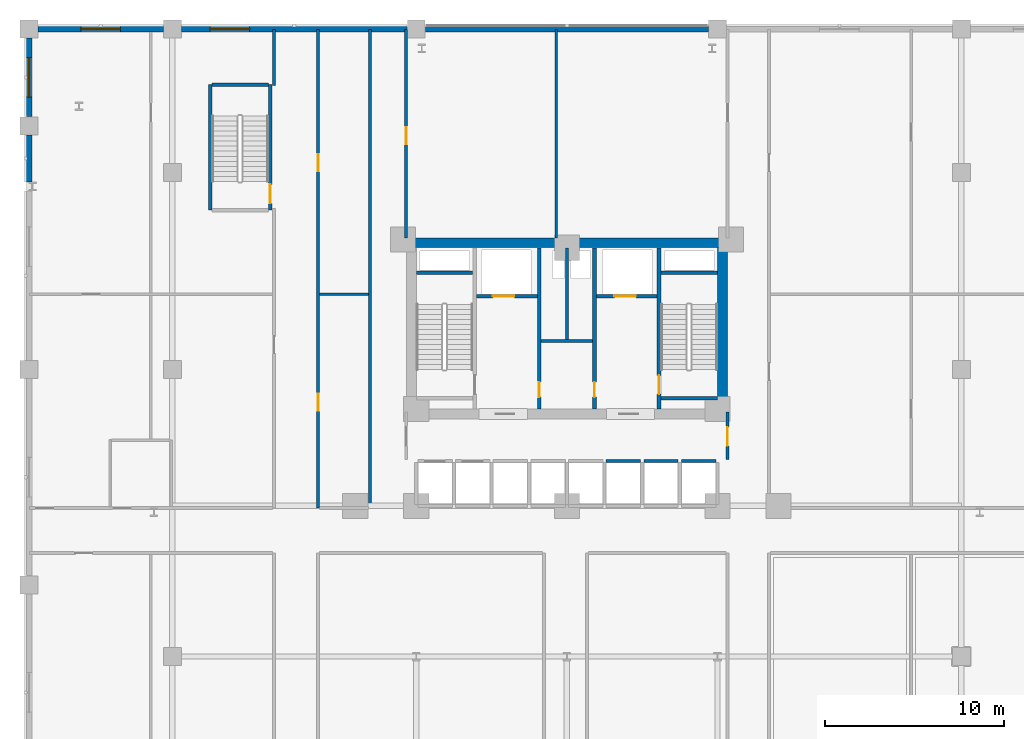
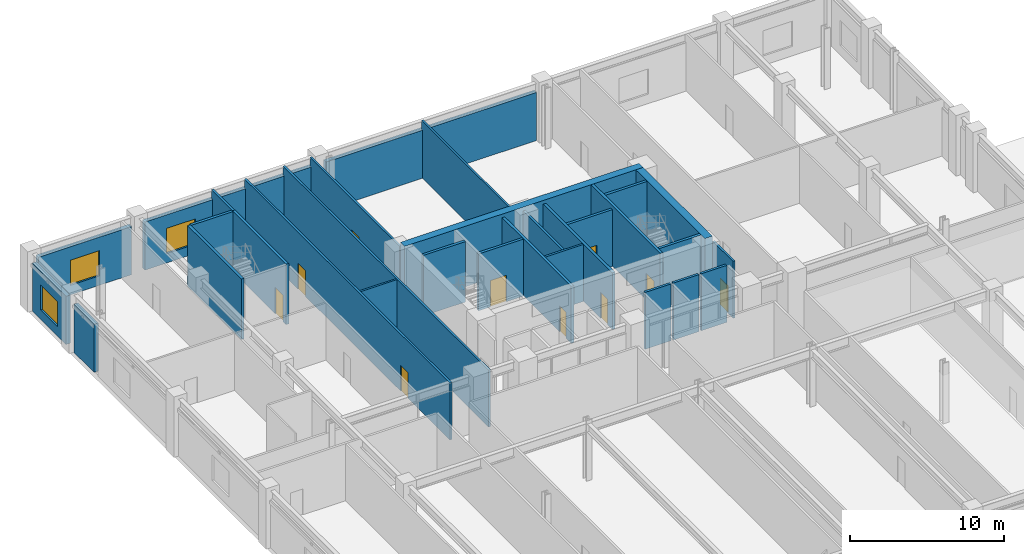
# One storey, part 19 of 34: 30 walls, 10 doors, 3 windows, 13 openings.
"""IFC4 building model written with IfcOpenShell, lengths in metres."""

from ifc_helpers import new_model, si_unit, derived_unit, direction, frame, frame_2d, origin, place, context, subcontext, project, spatial, rectangle, extrude, material, layer, layer_set, type_object, element, fill, save


model = new_model("IFC4")

# Units and contexts
model_context = context("Model", 3, precision=1e-05, world=origin(), true_north=direction((0.0, 1.0)))
body_context = subcontext(model_context, "Body", "Model", "MODEL_VIEW")
ifc_project = project(units=[si_unit("LENGTHUNIT", "METRE"), si_unit("AREAUNIT", "SQUARE_METRE"), si_unit("VOLUMEUNIT", "CUBIC_METRE"), si_unit("PLANEANGLEUNIT", "RADIAN"), si_unit("MASSUNIT", "GRAM", prefix="KILO"), derived_unit("THERMALTRANSMITTANCEUNIT", [(si_unit("POWERUNIT", "WATT"), 1), (si_unit("LENGTHUNIT", "METRE"), -2), (si_unit("THERMODYNAMICTEMPERATUREUNIT", "KELVIN"), -1)])], contexts=[model_context])

# Site, building, storey
site_placement = place(None, origin())
site = spatial("IfcSite", under=ifc_project, at=site_placement, CompositionType="ELEMENT")
building_placement = place(site_placement, origin())
building = spatial("IfcBuilding", under=site, at=building_placement, Name="Korsvarv Bourse and Concert Hall", CompositionType="ELEMENT")
storey_placement = place(building_placement, frame((0.0, 0.0, 14.39990234375)))
storey = spatial("IfcBuildingStorey", under=building, at=storey_placement, Name="L03", CompositionType="ELEMENT", Elevation=14.39990234375)

# Wall
ifc_material_1 = material(Name="Concrete C50/60", Category="concrete")
ifc_layer_1 = layer(ifc_material_1, 0.3798828125)
ifc_layer_set_1 = layer_set([ifc_layer_1], Name="Concrete C50/60")
wall_type_1 = type_object("IfcWallType", Name="WL-CORE-380", PredefinedType="SHEAR", material=ifc_layer_set_1)
wall_1_placement = place(storey_placement, frame((27.610107421875, 45.39990234375, 0.0), z_axis=(0.0, 0.0, 1.0), x_axis=(1.0, 0.0, 0.0)))
element("IfcWall", 1, at=wall_1_placement, inside=storey, type_object=wall_type_1, Name="L03 stair shaft structural wall W-L03-ST1-N", PredefinedType="SHEAR", context=body_context, shape_type="SweptSolid", body=[
    extrude(rectangle(XDim=3.139892578125, YDim=0.199951171875, at=frame_2d((1.56982421875, 0.0))), origin(), (0.0, 0.0, 1.0), 4.800048828125),
])

# Wall, opening, door
wall_2_placement = place(storey_placement, frame((41.139892578125, 37.81005859375, 0.0), z_axis=(0.0, 0.0, 1.0), x_axis=(0.0, 1.0, 0.0)))
wall_2 = element("IfcWall", 2, at=wall_2_placement, inside=storey, type_object=wall_type_1, Name="L03 stair shaft structural wall W-L03-ST2-W", PredefinedType="SHEAR", context=body_context, shape_type="SweptSolid", body=[
    extrude(rectangle(XDim=8.97998046875, YDim=0.199951171875, at=frame_2d((4.489990234375, 0.0))), origin(), (0.0, 0.0, 1.0), 4.800048828125),
])
opening_1_placement = place(wall_2_placement, frame((0.820068359375, 0.0, 0.0)))
opening_1 = element("IfcOpeningElement", 3, at=opening_1_placement, cuts=wall_2, Name="Opening D-01", PredefinedType="OPENING", context=body_context, shape_type="SweptSolid", body=[
    extrude(rectangle(XDim=1.050048828125, YDim=2.10009765625, at=frame_2d((0.52490234375, 1.050048828125))), frame((0.0, 0.10986328125, 0.0), z_axis=(0.0, -1.0, 0.0), x_axis=(1.0, 0.0, 0.0)), (0.0, 0.0, 1.0), 0.219970703125),
])
ifc_material_2 = material(Name="Steel S355 fire door", Category="steel")
door_type_1 = type_object("IfcDoorType", Name="DR-FD60", OperationType="NOTDEFINED", PredefinedType="DOOR", material=ifc_material_2)
door_1_placement = place(opening_1_placement, frame((1.050048828125, 0.0, 0.0), z_axis=(0.0, 0.0, 1.0), x_axis=(-1.0, 0.0, 0.0)))
door_1 = element("IfcDoor", 4, at=door_1_placement, inside=storey, type_object=door_type_1, Name="L03 interior door DR-L03-ST2", OperationType="SINGLE_SWING_RIGHT", OverallHeight=2.10009765625, OverallWidth=1.050048828125, PredefinedType="DOOR", context=body_context, shape_type="SweptSolid", body=[
    extrude(rectangle(XDim=1.050048828125, YDim=2.10009765625, at=frame_2d((0.52490234375, 1.050048828125))), frame((0.0, 0.02490234375, 0.0), z_axis=(0.0, -1.0, 0.0), x_axis=(1.0, 0.0, 0.0)), (0.0, 0.0, 1.0), 0.050048828125),
])
fill(opening_1, door_1)

# Walls
for number, where, z_axis, x_axis, name in (
    (5, (41.25, 45.39990234375, 0.0), (0.0, 0.0, 1.0), (1.0, 0.0, 0.0), "L03 stair shaft structural wall W-L03-ST2-N"),
    (6, (41.25, 38.39990234375, 0.0), (0.0, 0.0, 1.0), (1.0, 0.0, 0.0), "L03 stair shaft structural wall W-L03-ST2-S"),
):
    element("IfcWall", number, at=place(storey_placement, frame(where, z_axis=z_axis, x_axis=x_axis)), inside=storey, type_object=wall_type_1, Name=name, PredefinedType="SHEAR", context=body_context, shape_type="SweptSolid", body=[
        extrude(rectangle(XDim=3.139892578125, YDim=0.199951171875, at=frame_2d((1.56982421875, 0.0))), origin(), (0.0, 0.0, 1.0), 4.800048828125),
    ])

# Wall, opening, door
wall_3_placement = place(storey_placement, frame((19.4599609375, 48.89990234375, 0.0), z_axis=(0.0, 0.0, 1.0), x_axis=(0.0, 1.0, 0.0)))
wall_3 = element("IfcWall", 7, at=wall_3_placement, inside=storey, type_object=wall_type_1, Name="L03 stair shaft structural wall W-L03-STPD-E", PredefinedType="SHEAR", context=body_context, shape_type="SweptSolid", body=[
    extrude(rectangle(XDim=7.0, YDim=0.199951171875, at=frame_2d((3.5, 0.0))), origin(), (0.0, 0.0, 1.0), 4.800048828125),
])
opening_2_placement = place(wall_3_placement, frame((0.3798828125, 0.0, 0.0)))
opening_2 = element("IfcOpeningElement", 8, at=opening_2_placement, cuts=wall_3, Name="Opening D-01", PredefinedType="OPENING", context=body_context, shape_type="SweptSolid", body=[
    extrude(rectangle(XDim=1.050048828125, YDim=2.10009765625, at=frame_2d((0.52490234375, 1.050048828125))), frame((0.0, 0.10986328125, 0.0), z_axis=(0.0, -1.0, 0.0), x_axis=(1.0, 0.0, 0.0)), (0.0, 0.0, 1.0), 0.219970703125),
])
door_2_placement = place(opening_2_placement, origin())
door_2 = element("IfcDoor", 9, at=door_2_placement, inside=storey, type_object=door_type_1, Name="L03 interior door DR-L03-STPD1", OperationType="SINGLE_SWING_RIGHT", OverallHeight=2.10009765625, OverallWidth=1.050048828125, PredefinedType="DOOR", context=body_context, shape_type="SweptSolid", body=[
    extrude(rectangle(XDim=1.050048828125, YDim=2.10009765625, at=frame_2d((0.52490234375, 1.050048828125))), frame((0.0, 0.02490234375, 0.0), z_axis=(0.0, -1.0, 0.0), x_axis=(1.0, 0.0, 0.0)), (0.0, 0.0, 1.0), 0.050048828125),
])
fill(opening_2, door_2)

# Walls
wall_4_placement = place(storey_placement, frame((16.10009765625, 48.89990234375, 0.0), z_axis=(0.0, 0.0, 1.0), x_axis=(0.0, 1.0, 0.0)))
element("IfcWall", 10, at=wall_4_placement, inside=storey, type_object=wall_type_1, Name="L03 stair shaft structural wall W-L03-STPD-W", PredefinedType="SHEAR", context=body_context, shape_type="SweptSolid", body=[
    extrude(rectangle(XDim=7.0, YDim=0.199951171875, at=frame_2d((3.5, 0.0))), origin(), (0.0, 0.0, 1.0), 4.800048828125),
])
wall_5_placement = place(storey_placement, frame((16.2099609375, 55.89990234375, 0.0), z_axis=(0.0, 0.0, 1.0), x_axis=(1.0, 0.0, 0.0)))
element("IfcWall", 11, at=wall_5_placement, inside=storey, type_object=wall_type_1, Name="L03 stair shaft structural wall W-L03-STPD-N", PredefinedType="SHEAR", context=body_context, shape_type="SweptSolid", body=[
    extrude(rectangle(XDim=3.14013671875, YDim=0.199951171875, at=frame_2d((1.570068359375, 0.0))), origin(), (0.0, 0.0, 1.0), 4.800048828125),
])
ifc_material_3 = material(Name="Concrete C60/75", Category="concrete")
ifc_layer_2 = layer(ifc_material_3, 0.550048828125)
ifc_layer_set_2 = layer_set([ifc_layer_2], Name="Concrete C60/75")
wall_type_2 = type_object("IfcWallType", Name="WL-CORE-550", PredefinedType="SHEAR", material=ifc_layer_set_2)
wall_6_placement = place(storey_placement, frame((27.050048828125, 47.074951171875, 0.0), z_axis=(0.0, 0.0, 1.0), x_axis=(1.0, 0.0, 0.0)))
element("IfcWall", 12, at=wall_6_placement, inside=storey, type_object=wall_type_2, Name="L03 North Core Shear Wall", PredefinedType="SHEAR", context=body_context, shape_type="SweptSolid", body=[
    extrude(rectangle(XDim=17.89990234375, YDim=0.550048828125, at=frame_2d((8.949951171875, 0.0))), origin(), (0.0, 0.0, 1.0), 4.800048828125),
])
wall_7_placement = place(storey_placement, frame((44.675048828125, 37.800048828125, 0.0), z_axis=(0.0, 0.0, 1.0), x_axis=(0.0, 1.0, 0.0)))
element("IfcWall", 13, at=wall_7_placement, inside=storey, type_object=wall_type_2, Name="L03 East Core Shear Wall", PredefinedType="SHEAR", context=body_context, shape_type="SweptSolid", body=[
    extrude(rectangle(XDim=9.0, YDim=0.550048828125, at=frame_2d((4.5, 0.0))), origin(), (0.0, 0.0, 1.0), 4.800048828125),
])

# Wall, opening, window
ifc_material_4 = material(Name="Precast concrete C45/55 with granite and terracotta", Category="concrete")
ifc_layer_3 = layer(ifc_material_4, 0.320068359375)
ifc_layer_set_3 = layer_set([ifc_layer_3], Name="Precast concrete C45/55 with granite and terracotta")
wall_type_3 = type_object("IfcWallType", Name="WL-EXT-POD", PredefinedType="SOLIDWALL", material=ifc_layer_set_3)
wall_8_placement = place(storey_placement, frame((6.5048828125, 59.0, 0.0), z_axis=(0.0, 0.0, 1.0), x_axis=(1.0, 0.0, 0.0)))
wall_8 = element("IfcWall", 14, at=wall_8_placement, inside=storey, type_object=wall_type_3, Name="L03 terracotta exterior wall EW-L03-N1", PredefinedType="SOLIDWALL", context=body_context, shape_type="SweptSolid", body=[
    extrude(rectangle(XDim=6.990234375, YDim=0.320068359375, at=frame_2d((3.4951171875, 0.0))), origin(), (0.0, 0.0, 1.0), 3.820068359375),
])
opening_3_placement = place(wall_8_placement, frame((2.39501953125, 0.0, 0.75)))
opening_3 = element("IfcOpeningElement", 15, at=opening_3_placement, cuts=wall_8, Name="Opening W-03", PredefinedType="OPENING", context=body_context, shape_type="SweptSolid", body=[
    extrude(rectangle(XDim=2.199951171875, YDim=2.0, at=frame_2d((1.10009765625, 1.0))), frame((0.0, 0.169921875, 0.0), z_axis=(0.0, -1.0, 0.0), x_axis=(1.0, 0.0, 0.0)), (0.0, 0.0, 1.0), 0.340087890625),
])
ifc_material_5 = material(Name="Thermally broken aluminium frame with triple low-E glass", Category="glass")
window_type = type_object("IfcWindowType", Name="WIN-POD1", PartitioningType="SINGLE_PANEL", PredefinedType="WINDOW", material=ifc_material_5)
window_1_placement = place(opening_3_placement, origin())
window_1 = element("IfcWindow", 16, at=window_1_placement, inside=storey, type_object=window_type, Name="L03 punched facade window W-03", OverallHeight=2.0, OverallWidth=2.199951171875, PartitioningType="SINGLE_PANEL", PredefinedType="WINDOW", context=body_context, shape_type="SweptSolid", body=[
    extrude(rectangle(XDim=2.199951171875, YDim=2.0, at=frame_2d((1.10009765625, 1.0))), frame((0.0, 0.030029296875, 0.0), z_axis=(0.0, -1.0, 0.0), x_axis=(1.0, 0.0, 0.0)), (0.0, 0.0, 1.0), 0.06005859375),
])
fill(opening_3, window_1)

wall_9_placement = place(storey_placement, frame((14.5048828125, 59.0, 0.0), z_axis=(0.0, 0.0, 1.0), x_axis=(1.0, 0.0, 0.0)))
wall_9 = element("IfcWall", 17, at=wall_9_placement, inside=storey, type_object=wall_type_3, Name="L03 terracotta exterior wall EW-L03-N2", PredefinedType="SOLIDWALL", context=body_context, shape_type="SweptSolid", body=[
    extrude(rectangle(XDim=12.590087890625, YDim=0.320068359375, at=frame_2d((6.294921875, 0.0))), origin(), (0.0, 0.0, 1.0), 3.820068359375),
])
opening_4_placement = place(wall_9_placement, frame((1.5986328125, 0.0, 0.75)))
opening_4 = element("IfcOpeningElement", 18, at=opening_4_placement, cuts=wall_9, Name="Opening W-03", PredefinedType="OPENING", context=body_context, shape_type="SweptSolid", body=[
    extrude(rectangle(XDim=2.199951171875, YDim=2.0, at=frame_2d((1.10009765625, 1.0))), frame((0.0, 0.169921875, 0.0), z_axis=(0.0, -1.0, 0.0), x_axis=(1.0, 0.0, 0.0)), (0.0, 0.0, 1.0), 0.340087890625),
])
window_2_placement = place(opening_4_placement, origin())
window_2 = element("IfcWindow", 19, at=window_2_placement, inside=storey, type_object=window_type, Name="L03 punched facade window W-03", OverallHeight=2.0, OverallWidth=2.199951171875, PartitioningType="SINGLE_PANEL", PredefinedType="WINDOW", context=body_context, shape_type="SweptSolid", body=[
    extrude(rectangle(XDim=2.199951171875, YDim=2.0, at=frame_2d((1.10009765625, 1.0))), frame((0.0, 0.030029296875, 0.0), z_axis=(0.0, -1.0, 0.0), x_axis=(1.0, 0.0, 0.0)), (0.0, 0.0, 1.0), 0.06005859375),
])
fill(opening_4, window_2)

# Walls
wall_10_placement = place(storey_placement, frame((28.10498046875, 59.0, 0.0), z_axis=(0.0, 0.0, 1.0), x_axis=(1.0, 0.0, 0.0)))
element("IfcWall", 20, at=wall_10_placement, inside=storey, type_object=wall_type_3, Name="L03 terracotta exterior wall EW-L03-N3", PredefinedType="SOLIDWALL", context=body_context, shape_type="SweptSolid", body=[
    extrude(rectangle(XDim=15.7900390625, YDim=0.320068359375, at=frame_2d((7.89501953125, 0.0))), origin(), (0.0, 0.0, 1.0), 3.820068359375),
])
wall_11_placement = place(storey_placement, frame((6.0, 50.459228515625, 0.0), z_axis=(0.0, 0.0, 1.0), x_axis=(0.0, 1.0, 0.0)))
element("IfcWall", 21, at=wall_11_placement, inside=storey, type_object=wall_type_3, Name="L03 terracotta exterior wall EW-L03-W4-2", PredefinedType="SOLIDWALL", context=body_context, shape_type="SweptSolid", body=[
    extrude(rectangle(XDim=2.6357421875, YDim=0.320068359375, at=frame_2d((1.31787109375, 0.0))), origin(), (0.0, 0.0, 1.0), 3.820068359375),
])

# Wall, opening, window
wall_12_placement = place(storey_placement, frame((6.0, 54.10498046875, 0.0), z_axis=(0.0, 0.0, 1.0), x_axis=(0.0, 1.0, 0.0)))
wall_12 = element("IfcWall", 22, at=wall_12_placement, inside=storey, type_object=wall_type_3, Name="L03 terracotta exterior wall EW-L03-W5", PredefinedType="SOLIDWALL", context=body_context, shape_type="SweptSolid", body=[
    extrude(rectangle(XDim=4.39013671875, YDim=0.320068359375, at=frame_2d((2.195068359375, 0.0))), origin(), (0.0, 0.0, 1.0), 3.820068359375),
])
opening_5_placement = place(wall_12_placement, frame((1.094970703125, 0.0, 0.75)))
opening_5 = element("IfcOpeningElement", 23, at=opening_5_placement, cuts=wall_12, Name="Opening W-03", PredefinedType="OPENING", context=body_context, shape_type="SweptSolid", body=[
    extrude(rectangle(XDim=2.199951171875, YDim=2.0, at=frame_2d((1.10009765625, 1.0))), frame((0.0, 0.169921875, 0.0), z_axis=(0.0, -1.0, 0.0), x_axis=(1.0, 0.0, 0.0)), (0.0, 0.0, 1.0), 0.340087890625),
])
window_3_placement = place(opening_5_placement, origin())
window_3 = element("IfcWindow", 24, at=window_3_placement, inside=storey, type_object=window_type, Name="L03 punched facade window W-03", OverallHeight=2.0, OverallWidth=2.199951171875, PartitioningType="SINGLE_PANEL", PredefinedType="WINDOW", context=body_context, shape_type="SweptSolid", body=[
    extrude(rectangle(XDim=2.199951171875, YDim=2.0, at=frame_2d((1.10009765625, 1.0))), frame((0.0, 0.030029296875, 0.0), z_axis=(0.0, -1.0, 0.0), x_axis=(1.0, 0.0, 0.0)), (0.0, 0.0, 1.0), 0.06005859375),
])
fill(opening_5, window_3)

# Wall, opening, door
ifc_material_6 = material(Name="Reinforced concrete blockwork C35/45 fire wall", Category="concrete")
ifc_layer_4 = layer(ifc_material_6, 0.199951171875)
ifc_layer_set_4 = layer_set([ifc_layer_4], Name="Reinforced concrete blockwork C35/45 fire wall")
wall_type_4 = type_object("IfcWallType", Name="WL-INT-EI120", PredefinedType="PARTITIONING", material=ifc_layer_set_4)
wall_13_placement = place(storey_placement, frame((30.969970703125, 44.10009765625, 0.0), z_axis=(0.0, 0.0, 1.0), x_axis=(1.0, 0.0, 0.0)))
wall_13 = element("IfcWall", 25, at=wall_13_placement, inside=storey, type_object=wall_type_4, Name="L03 interior partition wall W-L03-FF1-S", PredefinedType="PARTITIONING", context=body_context, shape_type="SweptSolid", body=[
    extrude(rectangle(XDim=3.380126953125, YDim=0.199951171875, at=frame_2d((1.68994140625, 0.0))), origin(), (0.0, 0.0, 1.0), 4.52001953125),
])
opening_6_placement = place(wall_13_placement, frame((0.89990234375, 0.0, 0.0)))
opening_6 = element("IfcOpeningElement", 26, at=opening_6_placement, cuts=wall_13, Name="Opening LD-1", PredefinedType="OPENING", context=body_context, shape_type="SweptSolid", body=[
    extrude(rectangle(XDim=1.199951171875, YDim=2.10009765625, at=frame_2d((0.60009765625, 1.050048828125))), frame((0.0, 0.10986328125, 0.0), z_axis=(0.0, -1.0, 0.0), x_axis=(1.0, 0.0, 0.0)), (0.0, 0.0, 1.0), 0.219970703125),
])
ifc_material_7 = material(Name="Stainless Steel S355 firefighting lift landing door", Category="steel")
door_type_2 = type_object("IfcDoorType", Name="DR-LIFT-FF", OperationType="DOUBLE_DOOR_SLIDING", PredefinedType="DOOR", material=ifc_material_7)
door_3_placement = place(opening_6_placement, origin())
door_3 = element("IfcDoor", 27, at=door_3_placement, inside=storey, type_object=door_type_2, Name="L03 lift sliding landing door LD-L03-FF1", OperationType="DOUBLE_DOOR_SLIDING", OverallHeight=2.10009765625, OverallWidth=1.199951171875, PredefinedType="DOOR", context=body_context, shape_type="SweptSolid", body=[
    extrude(rectangle(XDim=1.199951171875, YDim=2.10009765625, at=frame_2d((0.60009765625, 1.050048828125))), frame((0.0, 0.02490234375, 0.0), z_axis=(0.0, -1.0, 0.0), x_axis=(1.0, 0.0, 0.0)), (0.0, 0.0, 1.0), 0.050048828125),
])
fill(opening_6, door_3)

wall_14_placement = place(storey_placement, frame((37.64990234375, 44.10009765625, 0.0), z_axis=(0.0, 0.0, 1.0), x_axis=(1.0, 0.0, 0.0)))
wall_14 = element("IfcWall", 28, at=wall_14_placement, inside=storey, type_object=wall_type_4, Name="L03 interior partition wall W-L03-FF2-S", PredefinedType="PARTITIONING", context=body_context, shape_type="SweptSolid", body=[
    extrude(rectangle(XDim=3.380126953125, YDim=0.199951171875, at=frame_2d((1.68994140625, 0.0))), origin(), (0.0, 0.0, 1.0), 4.52001953125),
])
opening_7_placement = place(wall_14_placement, frame((1.0, 0.0, 0.0)))
opening_7 = element("IfcOpeningElement", 29, at=opening_7_placement, cuts=wall_14, Name="Opening LD-1", PredefinedType="OPENING", context=body_context, shape_type="SweptSolid", body=[
    extrude(rectangle(XDim=1.199951171875, YDim=2.10009765625, at=frame_2d((0.60009765625, 1.050048828125))), frame((0.0, 0.10986328125, 0.0), z_axis=(0.0, -1.0, 0.0), x_axis=(1.0, 0.0, 0.0)), (0.0, 0.0, 1.0), 0.219970703125),
])
door_4_placement = place(opening_7_placement, origin())
door_4 = element("IfcDoor", 30, at=door_4_placement, inside=storey, type_object=door_type_2, Name="L03 lift sliding landing door LD-L03-FF2", OperationType="DOUBLE_DOOR_SLIDING", OverallHeight=2.10009765625, OverallWidth=1.199951171875, PredefinedType="DOOR", context=body_context, shape_type="SweptSolid", body=[
    extrude(rectangle(XDim=1.199951171875, YDim=2.10009765625, at=frame_2d((0.60009765625, 1.050048828125))), frame((0.0, 0.02490234375, 0.0), z_axis=(0.0, -1.0, 0.0), x_axis=(1.0, 0.0, 0.0)), (0.0, 0.0, 1.0), 0.050048828125),
])
fill(opening_7, door_4)

wall_15_placement = place(storey_placement, frame((34.4599609375, 37.81005859375, 0.0), z_axis=(0.0, 0.0, 1.0), x_axis=(0.0, 1.0, 0.0)))
wall_15 = element("IfcWall", 31, at=wall_15_placement, inside=storey, type_object=wall_type_4, Name="L03 interior partition wall W-L03-CSB-W", PredefinedType="PARTITIONING", context=body_context, shape_type="SweptSolid", body=[
    extrude(rectangle(XDim=8.97998046875, YDim=0.199951171875, at=frame_2d((4.489990234375, 0.0))), origin(), (0.0, 0.0, 1.0), 4.52001953125),
])
opening_8_placement = place(wall_15_placement, frame((0.64990234375, 0.0, 0.0)))
opening_8 = element("IfcOpeningElement", 32, at=opening_8_placement, cuts=wall_15, Name="Opening D-05", PredefinedType="OPENING", context=body_context, shape_type="SweptSolid", body=[
    extrude(rectangle(XDim=0.85009765625, YDim=2.050048828125, at=frame_2d((0.425048828125, 1.02490234375))), frame((0.0, 0.10986328125, 0.0), z_axis=(0.0, -1.0, 0.0), x_axis=(1.0, 0.0, 0.0)), (0.0, 0.0, 1.0), 0.219970703125),
])
door_type_3 = type_object("IfcDoorType", Name="DR-FD60-850X2050", OperationType="NOTDEFINED", PredefinedType="DOOR", material=ifc_material_2)
door_5_placement = place(opening_8_placement, frame((0.85009765625, 0.0, 0.0), z_axis=(0.0, 0.0, 1.0), x_axis=(-1.0, 0.0, 0.0)))
door_5 = element("IfcDoor", 33, at=door_5_placement, inside=storey, type_object=door_type_3, Name="L03 interior door DR-L03-CSB1", OperationType="SINGLE_SWING_LEFT", OverallHeight=2.050048828125, OverallWidth=0.85009765625, PredefinedType="DOOR", context=body_context, shape_type="SweptSolid", body=[
    extrude(rectangle(XDim=0.85009765625, YDim=2.050048828125, at=frame_2d((0.425048828125, 1.02490234375))), frame((0.0, 0.02490234375, 0.0), z_axis=(0.0, -1.0, 0.0), x_axis=(1.0, 0.0, 0.0)), (0.0, 0.0, 1.0), 0.050048828125),
])
fill(opening_8, door_5)

wall_16_placement = place(storey_placement, frame((37.5400390625, 37.81005859375, 0.0), z_axis=(0.0, 0.0, 1.0), x_axis=(0.0, 1.0, 0.0)))
wall_16 = element("IfcWall", 34, at=wall_16_placement, inside=storey, type_object=wall_type_4, Name="L03 interior partition wall W-L03-CSB-E", PredefinedType="PARTITIONING", context=body_context, shape_type="SweptSolid", body=[
    extrude(rectangle(XDim=8.97998046875, YDim=0.199951171875, at=frame_2d((4.489990234375, 0.0))), origin(), (0.0, 0.0, 1.0), 4.52001953125),
])
opening_9_placement = place(wall_16_placement, frame((0.64990234375, 0.0, 0.0)))
opening_9 = element("IfcOpeningElement", 35, at=opening_9_placement, cuts=wall_16, Name="Opening D-05", PredefinedType="OPENING", context=body_context, shape_type="SweptSolid", body=[
    extrude(rectangle(XDim=0.85009765625, YDim=2.050048828125, at=frame_2d((0.425048828125, 1.02490234375))), frame((0.0, 0.10986328125, 0.0), z_axis=(0.0, -1.0, 0.0), x_axis=(1.0, 0.0, 0.0)), (0.0, 0.0, 1.0), 0.219970703125),
])
door_6_placement = place(opening_9_placement, origin())
door_6 = element("IfcDoor", 36, at=door_6_placement, inside=storey, type_object=door_type_3, Name="L03 interior door DR-L03-CSB2", OperationType="SINGLE_SWING_RIGHT", OverallHeight=2.050048828125, OverallWidth=0.85009765625, PredefinedType="DOOR", context=body_context, shape_type="SweptSolid", body=[
    extrude(rectangle(XDim=0.85009765625, YDim=2.050048828125, at=frame_2d((0.425048828125, 1.02490234375))), frame((0.0, 0.02490234375, 0.0), z_axis=(0.0, -1.0, 0.0), x_axis=(1.0, 0.0, 0.0)), (0.0, 0.0, 1.0), 0.050048828125),
])
fill(opening_9, door_6)

# Walls
ifc_material_8 = material(Name="Double-stud fire-rated acoustic partition", Category="gypsum")
ifc_layer_5 = layer(ifc_material_8, 0.159912109375)
ifc_layer_set_5 = layer_set([ifc_layer_5], Name="Double-stud fire-rated acoustic partition")
wall_type_5 = type_object("IfcWallType", Name="WL-INT-EI60", PredefinedType="PARTITIONING", material=ifc_layer_set_5)
wall_17_placement = place(storey_placement, frame((34.570068359375, 41.60009765625, 0.0), z_axis=(0.0, 0.0, 1.0), x_axis=(1.0, 0.0, 0.0)))
element("IfcWall", 37, at=wall_17_placement, inside=storey, type_object=wall_type_5, Name="L03 interior partition wall W-L03-K1", PredefinedType="PARTITIONING", context=body_context, shape_type="SweptSolid", body=[
    extrude(rectangle(XDim=2.85986328125, YDim=0.159912109375, at=frame_2d((1.429931640625, 0.0))), origin(), (0.0, 0.0, 1.0), 4.52001953125),
])
wall_18_placement = place(storey_placement, frame((36.0048828125, 41.68994140625, 0.0), z_axis=(0.0, 0.0, 1.0), x_axis=(0.0, 1.0, 0.0)))
element("IfcWall", 38, at=wall_18_placement, inside=storey, type_object=wall_type_5, Name="L03 interior partition wall W-L03-K2", PredefinedType="PARTITIONING", context=body_context, shape_type="SweptSolid", body=[
    extrude(rectangle(XDim=5.10009765625, YDim=0.159912109375, at=frame_2d((2.550048828125, 0.0))), origin(), (0.0, 0.0, 1.0), 4.52001953125),
])

# Wall, opening, door
wall_19_placement = place(storey_placement, frame((44.9599609375, 35.0, 0.0), z_axis=(0.0, 0.0, 1.0), x_axis=(0.0, 1.0, 0.0)))
wall_19 = element("IfcWall", 39, at=wall_19_placement, inside=storey, type_object=wall_type_5, Name="L03 interior partition wall W-L03-LOB-E", PredefinedType="PARTITIONING", context=body_context, shape_type="SweptSolid", body=[
    extrude(rectangle(XDim=2.64990234375, YDim=0.159912109375, at=frame_2d((1.324951171875, 0.0))), origin(), (0.0, 0.0, 1.0), 4.52001953125),
])
opening_10_placement = place(wall_19_placement, frame((0.75, 0.0, 0.0)))
opening_10 = element("IfcOpeningElement", 40, at=opening_10_placement, cuts=wall_19, Name="Opening D-01", PredefinedType="OPENING", context=body_context, shape_type="SweptSolid", body=[
    extrude(rectangle(XDim=1.050048828125, YDim=2.10009765625, at=frame_2d((0.52490234375, 1.050048828125))), frame((0.0, 0.08984375, 0.0), z_axis=(0.0, -1.0, 0.0), x_axis=(1.0, 0.0, 0.0)), (0.0, 0.0, 1.0), 0.179931640625),
])
door_7_placement = place(opening_10_placement, origin())
door_7 = element("IfcDoor", 41, at=door_7_placement, inside=storey, type_object=door_type_1, Name="L03 interior door DR-L03-LOBE", OperationType="SINGLE_SWING_RIGHT", OverallHeight=2.10009765625, OverallWidth=1.050048828125, PredefinedType="DOOR", context=body_context, shape_type="SweptSolid", body=[
    extrude(rectangle(XDim=1.050048828125, YDim=2.10009765625, at=frame_2d((0.52490234375, 1.050048828125))), frame((0.0, 0.02490234375, 0.0), z_axis=(0.0, -1.0, 0.0), x_axis=(1.0, 0.0, 0.0)), (0.0, 0.0, 1.0), 0.050048828125),
])
fill(opening_10, door_7)

# Wall, openings, doors
wall_20_placement = place(storey_placement, frame((22.125, 32.27001953125, 0.0), z_axis=(0.0, 0.0, 1.0), x_axis=(0.0, 1.0, 0.0)))
wall_20 = element("IfcWall", 42, at=wall_20_placement, inside=storey, type_object=wall_type_5, Name="L03 interior partition wall W-L03-PCOR-08", PredefinedType="PARTITIONING", context=body_context, shape_type="SweptSolid", body=[
    extrude(rectangle(XDim=26.7099609375, YDim=0.159912109375, at=frame_2d((13.35498046875, 0.0))), origin(), (0.0, 0.0, 1.0), 4.52001953125),
])
opening_11_placement = place(wall_20_placement, frame((5.4384765625, 0.0, 0.0)))
opening_11 = element("IfcOpeningElement", 43, at=opening_11_placement, cuts=wall_20, Name="Opening D-02", PredefinedType="OPENING", context=body_context, shape_type="SweptSolid", body=[
    extrude(rectangle(XDim=0.949951171875, YDim=2.050048828125, at=frame_2d((0.47509765625, 1.02490234375))), frame((0.0, 0.08984375, 0.0), z_axis=(0.0, -1.0, 0.0), x_axis=(1.0, 0.0, 0.0)), (0.0, 0.0, 1.0), 0.179931640625),
])
opening_12_placement = place(wall_20_placement, frame((18.7900390625, 0.0, 0.0)))
opening_12 = element("IfcOpeningElement", 44, at=opening_12_placement, cuts=wall_20, Name="Opening D-02", PredefinedType="OPENING", context=body_context, shape_type="SweptSolid", body=[
    extrude(rectangle(XDim=0.949951171875, YDim=2.050048828125, at=frame_2d((0.47509765625, 1.02490234375))), frame((0.0, 0.08984375, 0.0), z_axis=(0.0, -1.0, 0.0), x_axis=(1.0, 0.0, 0.0)), (0.0, 0.0, 1.0), 0.179931640625),
])
ifc_material_9 = material(Name="Timber and steel acoustic fire door", Category="wood")
door_type_4 = type_object("IfcDoorType", Name="DR-FD30", OperationType="NOTDEFINED", PredefinedType="DOOR", material=ifc_material_9)
door_8_placement = place(opening_11_placement, origin())
door_8 = element("IfcDoor", 45, at=door_8_placement, inside=storey, type_object=door_type_4, Name="L03 interior door DR-L03-PCOR-RM1111", OperationType="SINGLE_SWING_LEFT", OverallHeight=2.050048828125, OverallWidth=0.949951171875, PredefinedType="DOOR", context=body_context, shape_type="SweptSolid", body=[
    extrude(rectangle(XDim=0.949951171875, YDim=2.050048828125, at=frame_2d((0.47509765625, 1.02490234375))), frame((0.0, 0.02490234375, 0.0), z_axis=(0.0, -1.0, 0.0), x_axis=(1.0, 0.0, 0.0)), (0.0, 0.0, 1.0), 0.050048828125),
])
fill(opening_11, door_8)
door_9_placement = place(opening_12_placement, origin())
door_9 = element("IfcDoor", 46, at=door_9_placement, inside=storey, type_object=door_type_4, Name="L03 interior door DR-L03-PCOR-RM1212", OperationType="SINGLE_SWING_RIGHT", OverallHeight=2.050048828125, OverallWidth=0.949951171875, PredefinedType="DOOR", context=body_context, shape_type="SweptSolid", body=[
    extrude(rectangle(XDim=0.949951171875, YDim=2.050048828125, at=frame_2d((0.47509765625, 1.02490234375))), frame((0.0, 0.02490234375, 0.0), z_axis=(0.0, -1.0, 0.0), x_axis=(1.0, 0.0, 0.0)), (0.0, 0.0, 1.0), 0.050048828125),
])
fill(opening_12, door_9)

# Wall
wall_21_placement = place(storey_placement, frame((25.02490234375, 32.27001953125, 0.0), z_axis=(0.0, 0.0, 1.0), x_axis=(0.0, 1.0, 0.0)))
element("IfcWall", 47, at=wall_21_placement, inside=storey, type_object=wall_type_5, Name="L03 interior partition wall W-L03-PCOR-09", PredefinedType="PARTITIONING", context=body_context, shape_type="SweptSolid", body=[
    extrude(rectangle(XDim=26.7099609375, YDim=0.159912109375, at=frame_2d((13.35498046875, 0.0))), origin(), (0.0, 0.0, 1.0), 4.52001953125),
])

# Wall, opening, door
wall_22_placement = place(storey_placement, frame((27.034912109375, 47.340087890625, 0.0), z_axis=(0.0, 0.0, 1.0), x_axis=(0.0, 1.0, 0.0)))
wall_22 = element("IfcWall", 48, at=wall_22_placement, inside=storey, type_object=wall_type_5, Name="L03 interior partition wall W-L03-PCOR-16", PredefinedType="PARTITIONING", context=body_context, shape_type="SweptSolid", body=[
    extrude(rectangle(XDim=11.639892578125, YDim=0.159912109375, at=frame_2d((5.81982421875, 0.0))), origin(), (0.0, 0.0, 1.0), 4.52001953125),
])
opening_13_placement = place(wall_22_placement, frame((5.238037109375, 0.0, 0.0)))
opening_13 = element("IfcOpeningElement", 49, at=opening_13_placement, cuts=wall_22, Name="Opening D-02", PredefinedType="OPENING", context=body_context, shape_type="SweptSolid", body=[
    extrude(rectangle(XDim=0.949951171875, YDim=2.050048828125, at=frame_2d((0.47509765625, 1.02490234375))), frame((0.0, 0.08984375, 0.0), z_axis=(0.0, -1.0, 0.0), x_axis=(1.0, 0.0, 0.0)), (0.0, 0.0, 1.0), 0.179931640625),
])
door_10_placement = place(opening_13_placement, origin())
door_10 = element("IfcDoor", 50, at=door_10_placement, inside=storey, type_object=door_type_4, Name="L03 interior door DR-L03-PCOR-NOFF8", OperationType="SINGLE_SWING_LEFT", OverallHeight=2.050048828125, OverallWidth=0.949951171875, PredefinedType="DOOR", context=body_context, shape_type="SweptSolid", body=[
    extrude(rectangle(XDim=0.949951171875, YDim=2.050048828125, at=frame_2d((0.47509765625, 1.02490234375))), frame((0.0, 0.02490234375, 0.0), z_axis=(0.0, -1.0, 0.0), x_axis=(1.0, 0.0, 0.0)), (0.0, 0.0, 1.0), 0.050048828125),
])
fill(opening_13, door_10)

# Walls
wall_23_placement = place(storey_placement, frame((19.6650390625, 55.840087890625, 0.0), z_axis=(0.0, 0.0, 1.0), x_axis=(0.0, 1.0, 0.0)))
element("IfcWall", 51, at=wall_23_placement, inside=storey, type_object=wall_type_5, Name="L03 interior partition wall W-L03-PCOR-19", PredefinedType="PARTITIONING", context=body_context, shape_type="SweptSolid", body=[
    extrude(rectangle(XDim=3.139892578125, YDim=0.159912109375, at=frame_2d((1.56982421875, 0.0))), origin(), (0.0, 0.0, 1.0), 4.52001953125),
])
ifc_material_10 = material(Name="Gypsum-clad autoclaved concrete shaft wall C30/37", Category="concrete")
ifc_layer_6 = layer(ifc_material_10, 0.179931640625)
ifc_layer_set_6 = layer_set([ifc_layer_6], Name="Gypsum-clad autoclaved concrete shaft wall C30/37")
wall_type_6 = type_object("IfcWallType", Name="WL-INT-EI90", PredefinedType="PARTITIONING", material=ifc_layer_set_6)
wall_24_placement = place(storey_placement, frame((38.18994140625, 34.89990234375, 0.0), z_axis=(0.0, 0.0, 1.0), x_axis=(1.0, 0.0, 0.0)))
element("IfcWall", 52, at=wall_24_placement, inside=storey, type_object=wall_type_6, Name="L03 interior partition wall W-L03-SHFN-PH2", PredefinedType="PARTITIONING", context=body_context, shape_type="SweptSolid", body=[
    extrude(rectangle(XDim=1.920166015625, YDim=0.179931640625, at=frame_2d((0.9599609375, 0.0))), origin(), (0.0, 0.0, 1.0), 4.52001953125),
])
wall_25_placement = place(storey_placement, frame((40.2900390625, 34.89990234375, 0.0), z_axis=(0.0, 0.0, 1.0), x_axis=(1.0, 0.0, 0.0)))
element("IfcWall", 53, at=wall_25_placement, inside=storey, type_object=wall_type_6, Name="L03 interior partition wall W-L03-SHFN-PO1", PredefinedType="PARTITIONING", context=body_context, shape_type="SweptSolid", body=[
    extrude(rectangle(XDim=1.919921875, YDim=0.179931640625, at=frame_2d((0.9599609375, 0.0))), origin(), (0.0, 0.0, 1.0), 4.52001953125),
])
wall_26_placement = place(storey_placement, frame((42.389892578125, 34.89990234375, 0.0), z_axis=(0.0, 0.0, 1.0), x_axis=(1.0, 0.0, 0.0)))
element("IfcWall", 54, at=wall_26_placement, inside=storey, type_object=wall_type_6, Name="L03 interior partition wall W-L03-SHFN-PO2", PredefinedType="PARTITIONING", context=body_context, shape_type="SweptSolid", body=[
    extrude(rectangle(XDim=1.920166015625, YDim=0.179931640625, at=frame_2d((0.9599609375, 0.0))), origin(), (0.0, 0.0, 1.0), 4.52001953125),
])
ifc_material_11 = material(Name="Insulated steel-stud office acoustic partition", Category="gypsum")
ifc_layer_7 = layer(ifc_material_11, 0.139892578125)
ifc_layer_set_7 = layer_set([ifc_layer_7], Name="Insulated steel-stud office acoustic partition")
wall_type_7 = type_object("IfcWallType", Name="WL-INT-P1", PredefinedType="PARTITIONING", material=ifc_layer_set_7)
wall_27_placement = place(storey_placement, frame((35.405029296875, 47.35205078125, 0.0), z_axis=(0.0, 0.0, 1.0), x_axis=(0.0, 1.0, 0.0)))
element("IfcWall", 55, at=wall_27_placement, inside=storey, type_object=wall_type_7, Name="L03 interior partition wall W-L03-PCOR-27", PredefinedType="PARTITIONING", context=body_context, shape_type="SweptSolid", body=[
    extrude(rectangle(XDim=11.6279296875, YDim=0.139892578125, at=frame_2d((5.81396484375, 0.0))), origin(), (0.0, 0.0, 1.0), 4.52001953125),
])
wall_28_placement = place(storey_placement, frame((22.20703125, 44.205078125, 0.0), z_axis=(0.0, 0.0, 1.0), x_axis=(1.0, 0.0, 0.0)))
element("IfcWall", 56, at=wall_28_placement, inside=storey, type_object=wall_type_7, Name="L03 interior partition wall W-L03-PCOR-31", PredefinedType="PARTITIONING", context=body_context, shape_type="SweptSolid", body=[
    extrude(rectangle(XDim=2.736083984375, YDim=0.139892578125, at=frame_2d((1.3681640625, 0.0))), origin(), (0.0, 0.0, 1.0), 4.52001953125),
])

save(model, "model.ifc")
